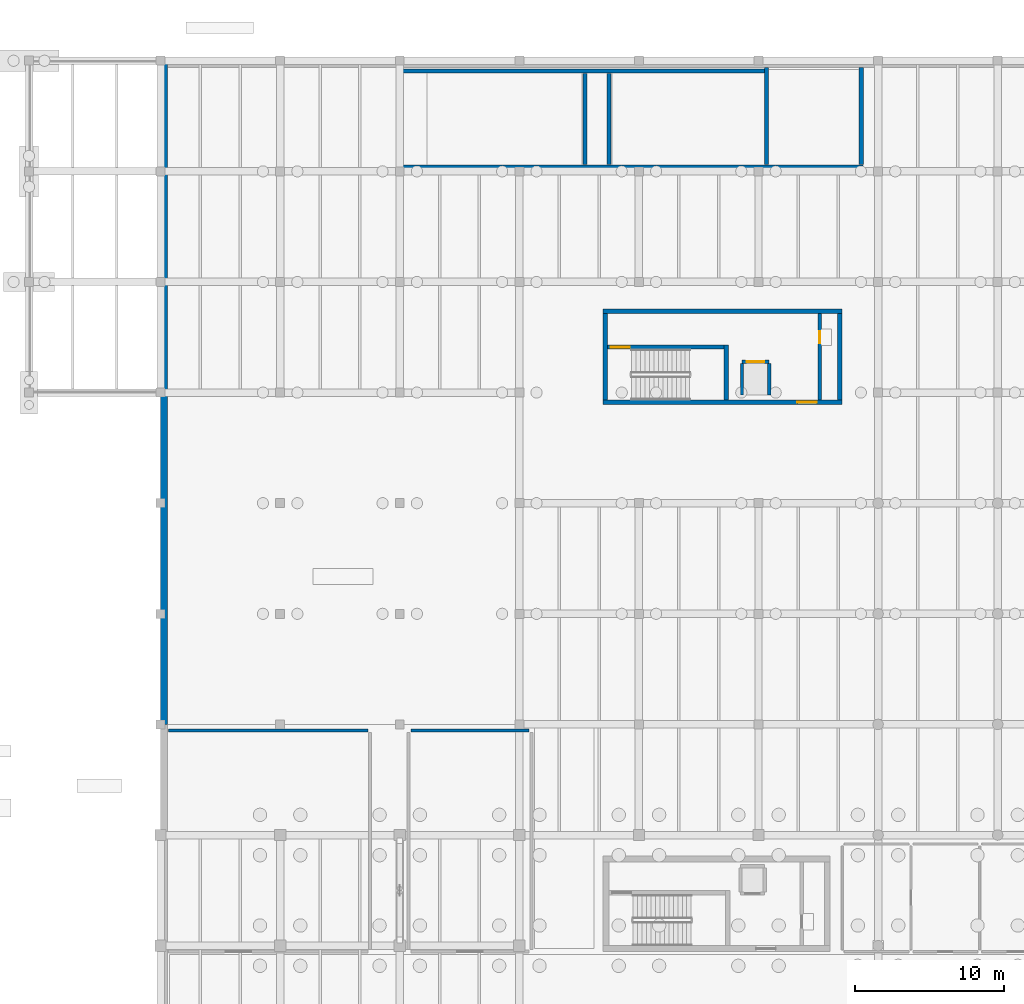
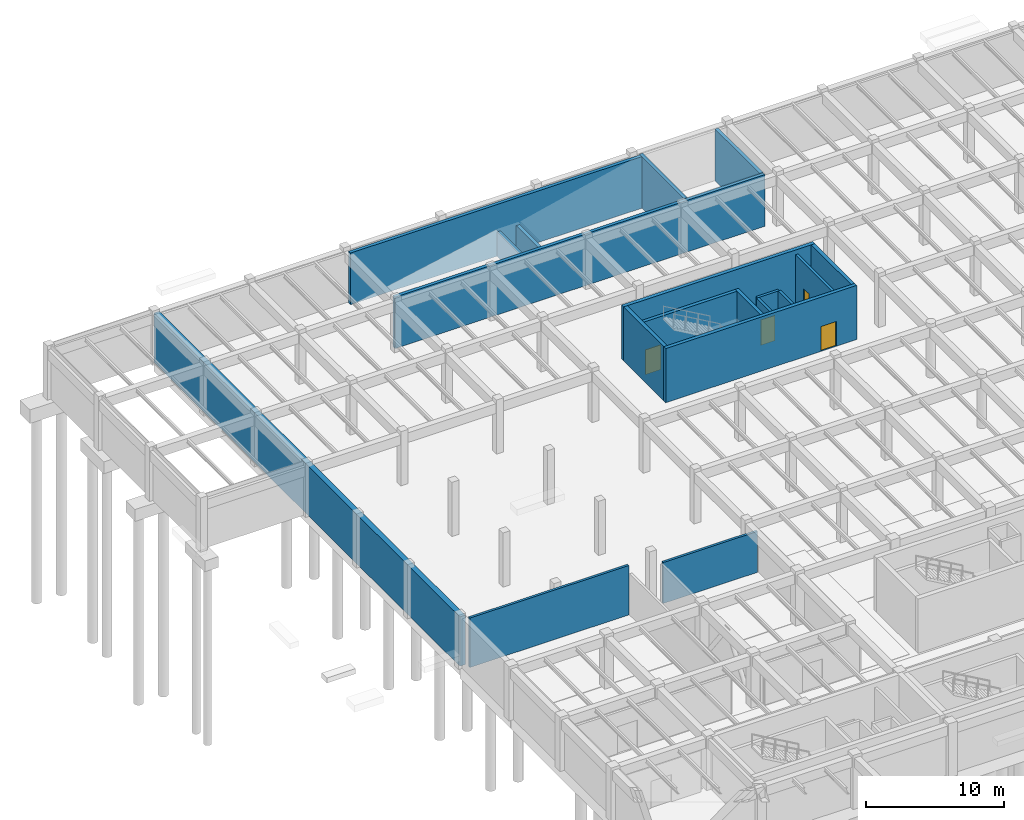
# One storey, part 22 of 40: 19 walls, 4 doors, 4 openings.
"""IFC4 building model written with IfcOpenShell, lengths in metres."""

from ifc_helpers import new_model, si_unit, direction, frame, frame_2d, origin, place, context, subcontext, project, spatial, rectangle, extrude, material, layer, layer_set, type_object, element, fill, save


model = new_model("IFC4")

# Units and contexts
model_context = context("Model", 3, precision=1e-05, world=origin(), true_north=direction((0.0, 1.0)))
body_context = subcontext(model_context, "Body", "Model", "MODEL_VIEW")
ifc_project = project(units=[si_unit("LENGTHUNIT", "METRE"), si_unit("AREAUNIT", "SQUARE_METRE"), si_unit("VOLUMEUNIT", "CUBIC_METRE"), si_unit("PLANEANGLEUNIT", "RADIAN"), si_unit("MASSUNIT", "GRAM", prefix="KILO")], contexts=[model_context])

# Site, building, storey
site_placement = place(None, origin())
site = spatial("IfcSite", under=ifc_project, at=site_placement, CompositionType="ELEMENT")
building_placement = place(site_placement, origin())
building = spatial("IfcBuilding", under=site, at=building_placement, Name="Valkorina Park Police Headquarters", CompositionType="ELEMENT")
storey_placement = place(building_placement, frame((0.0, 0.0, -4.800048828125)))
storey = spatial("IfcBuildingStorey", under=building, at=storey_placement, Name="B01", CompositionType="ELEMENT", Elevation=-4.800048828125)

# Wall, opening, door
ifc_material_1 = material(Name="Autoclaved aerated concrete masonry", Category="masonry")
ifc_layer_1 = layer(ifc_material_1, 0.219970703125)
ifc_layer_set_1 = layer_set([ifc_layer_1], Name="Autoclaved aerated concrete masonry")
wall_type_1 = type_object("IfcWallType", Name="WL-CHASE-220-EI60", PredefinedType="PLUMBINGWALL", material=ifc_layer_set_1)
wall_1_placement = place(storey_placement, frame((47.68994140625, 90.860107421875, 0.0), z_axis=(0.0, 0.0, 1.0), x_axis=(1.0, 0.0, 0.0)))
wall_1 = element("IfcWall", 1, at=wall_1_placement, inside=storey, type_object=wall_type_1, Name="Lift LF-06 B01 Shaft Front Wall", PredefinedType="PLUMBINGWALL", context=body_context, shape_type="SweptSolid", body=[
    extrude(rectangle(XDim=1.820068359375, YDim=0.219970703125, at=frame_2d((0.91015625, 0.0))), origin(), (0.0, 0.0, 1.0), 4.380126953125),
])
opening_1_placement = place(wall_1_placement, frame((0.31005859375, 0.0, 0.0)))
opening_1 = element("IfcOpeningElement", 2, at=opening_1_placement, cuts=wall_1, Name="Opening LD-03", PredefinedType="OPENING", context=body_context, shape_type="SweptSolid", body=[
    extrude(rectangle(XDim=1.199951171875, YDim=2.25, at=frame_2d((0.60009765625, 1.125))), frame((0.0, 0.1201171875, 0.0), z_axis=(0.0, -1.0, 0.0), x_axis=(1.0, 0.0, 0.0)), (0.0, 0.0, 1.0), 0.239990234375),
])
ifc_material_2 = material(Name="Stainless steel EN 1.4404", Category="steel")
ifc_layer_2 = layer(ifc_material_2, 0.050048828125)
ifc_layer_set_2 = layer_set([ifc_layer_2], Name="Stainless steel EN 1.4404")
door_type_1 = type_object("IfcDoorType", Name="DR-LIFT-CUST-1200x2250", OperationType="NOTDEFINED", PredefinedType="DOOR", material=ifc_layer_set_2)
door_1_placement = place(opening_1_placement, origin())
door_1 = element("IfcDoor", 3, at=door_1_placement, inside=storey, type_object=door_type_1, Name="Lift Landing Door LF-06-B01", OperationType="DOUBLE_DOOR_SLIDING", OverallHeight=2.25, OverallWidth=1.199951171875, PredefinedType="DOOR", context=body_context, shape_type="SweptSolid", body=[
    extrude(rectangle(XDim=1.199951171875, YDim=2.25, at=frame_2d((0.60009765625, 1.125))), frame((0.0, 0.02490234375, 0.0), z_axis=(0.0, -1.0, 0.0), x_axis=(1.0, 0.0, 0.0)), (0.0, 0.0, 1.0), 0.050048828125),
])
fill(opening_1, door_1)

# Walls
for number, where, z_axis, x_axis, name in (
    (4, (47.68994140625, 88.64990234375, 0.0), (0.0, 0.0, 1.0), (0.0, 1.0, 0.0), "Lift LF-06 B01 Shaft Side Wall W"),
    (5, (49.510009765625, 88.64990234375, 0.0), (0.0, 0.0, 1.0), (0.0, 1.0, 0.0), "Lift LF-06 B01 Shaft Side Wall E"),
):
    element("IfcWall", number, at=place(storey_placement, frame(where, z_axis=z_axis, x_axis=x_axis)), inside=storey, type_object=wall_type_1, Name=name, PredefinedType="PLUMBINGWALL", context=body_context, shape_type="SweptSolid", body=[
        extrude(rectangle(XDim=2.10009765625, YDim=0.219970703125, at=frame_2d((1.050048828125, 0.0))), origin(), (0.0, 0.0, 1.0), 4.380126953125),
    ])

# Wall, opening, door
wall_2_placement = place(storey_placement, frame((52.889892578125, 88.300048828125, 0.0), z_axis=(0.0, 0.0, 1.0), x_axis=(0.0, 1.0, 0.0)))
wall_2 = element("IfcWall", 6, at=wall_2_placement, inside=storey, type_object=wall_type_1, Name="Core C4 B01 Riser Shaft West Wall", PredefinedType="PLUMBINGWALL", context=body_context, shape_type="SweptSolid", body=[
    extrude(rectangle(XDim=5.800048828125, YDim=0.219970703125, at=frame_2d((2.89990234375, 0.0))), origin(), (0.0, 0.0, 1.0), 4.380126953125),
])
opening_2_placement = place(wall_2_placement, frame((3.800048828125, 0.0, 0.0)))
opening_2 = element("IfcOpeningElement", 7, at=opening_2_placement, cuts=wall_2, Name="Opening ID-01", PredefinedType="OPENING", context=body_context, shape_type="SweptSolid", body=[
    extrude(rectangle(XDim=0.800048828125, YDim=2.10009765625, at=frame_2d((0.39990234375, 1.050048828125))), frame((0.0, 0.1201171875, 0.0), z_axis=(0.0, -1.0, 0.0), x_axis=(1.0, 0.0, 0.0)), (0.0, 0.0, 1.0), 0.239990234375),
])
ifc_material_3 = material(Name="Galvanized steel door leaf", Category="steel")
ifc_layer_3 = layer(ifc_material_3, 0.050048828125)
ifc_layer_set_3 = layer_set([ifc_layer_3], Name="Galvanized steel door leaf")
door_type_2 = type_object("IfcDoorType", Name="DR-INT-RISER-800x2100", OperationType="NOTDEFINED", PredefinedType="DOOR", material=ifc_layer_set_3)
door_2_placement = place(opening_2_placement, origin())
door_2 = element("IfcDoor", 8, at=door_2_placement, inside=storey, type_object=door_type_2, Name="Riser Shaft Access Door C4-B01", OperationType="SINGLE_SWING_RIGHT", OverallHeight=2.10009765625, OverallWidth=0.800048828125, PredefinedType="DOOR", context=body_context, shape_type="SweptSolid", body=[
    extrude(rectangle(XDim=0.800048828125, YDim=2.10009765625, at=frame_2d((0.39990234375, 1.050048828125))), frame((0.0, 0.02490234375, 0.0), z_axis=(0.0, -1.0, 0.0), x_axis=(1.0, 0.0, 0.0)), (0.0, 0.0, 1.0), 0.050048828125),
])
fill(opening_2, door_2)

ifc_material_4 = material(Name="Concrete C40/50", Category="concrete")
ifc_layer_4 = layer(ifc_material_4, 0.300048828125)
ifc_layer_set_4 = layer_set([ifc_layer_4], Name="Concrete C40/50")
wall_type_2 = type_object("IfcWallType", Name="WL-CORE-300-REI120", PredefinedType="SHEAR", material=ifc_layer_set_4)
wall_3_placement = place(storey_placement, frame((38.39990234375, 88.14990234375, 0.0), z_axis=(0.0, 0.0, 1.0), x_axis=(1.0, 0.0, 0.0)))
wall_3 = element("IfcWall", 9, at=wall_3_placement, inside=storey, type_object=wall_type_2, Name="Core C4 B01 Shear Wall S", PredefinedType="SHEAR", context=body_context, shape_type="SweptSolid", body=[
    extrude(rectangle(XDim=16.0, YDim=0.300048828125, at=frame_2d((8.0, 0.0))), origin(), (0.0, 0.0, 1.0), 4.795166015625),
])
opening_3_placement = place(wall_3_placement, frame((13.0, 0.0, 0.0)))
opening_3 = element("IfcOpeningElement", 10, at=opening_3_placement, cuts=wall_3, Name="Opening FD-03", PredefinedType="OPENING", context=body_context, shape_type="SweptSolid", body=[
    extrude(rectangle(XDim=1.300048828125, YDim=2.199951171875, at=frame_2d((0.64990234375, 1.10009765625))), frame((0.0, 0.16015625, 0.0), z_axis=(0.0, -1.0, 0.0), x_axis=(1.0, 0.0, 0.0)), (0.0, 0.0, 1.0), 0.320068359375),
])
ifc_layer_5 = layer(ifc_material_3, 0.050048828125)
ifc_layer_set_5 = layer_set([ifc_layer_5], Name="Galvanized steel door leaf")
door_type_3 = type_object("IfcDoorType", Name="DR-FIRE-STAIR-1300x2200", OperationType="NOTDEFINED", PredefinedType="DOOR", material=ifc_layer_set_5)
door_3_placement = place(opening_3_placement, origin())
door_3 = element("IfcDoor", 11, at=door_3_placement, inside=storey, type_object=door_type_3, Name="Door D-B01-LBY-C4 (Core C4 Lobby Fire Door)", OperationType="SINGLE_SWING_LEFT", OverallHeight=2.199951171875, OverallWidth=1.300048828125, PredefinedType="DOOR", context=body_context, shape_type="SweptSolid", body=[
    extrude(rectangle(XDim=1.300048828125, YDim=2.199951171875, at=frame_2d((0.64990234375, 1.10009765625))), frame((0.0, 0.02490234375, 0.0), z_axis=(0.0, -1.0, 0.0), x_axis=(1.0, 0.0, 0.0)), (0.0, 0.0, 1.0), 0.050048828125),
])
fill(opening_3, door_3)

# Walls
wall_4_placement = place(storey_placement, frame((38.39990234375, 94.25, 0.0), z_axis=(0.0, 0.0, 1.0), x_axis=(1.0, 0.0, 0.0)))
element("IfcWall", 12, at=wall_4_placement, inside=storey, type_object=wall_type_2, Name="Core C4 B01 Shear Wall N", PredefinedType="SHEAR", context=body_context, shape_type="SweptSolid", body=[
    extrude(rectangle(XDim=16.0, YDim=0.300048828125, at=frame_2d((8.0, 0.0))), origin(), (0.0, 0.0, 1.0), 4.795166015625),
])
for number, where, z_axis, x_axis, name in (
    (13, (38.550048828125, 88.300048828125, 0.0), (0.0, 0.0, 1.0), (0.0, 1.0, 0.0), "Core C4 B01 Shear Wall W"),
    (14, (54.25, 88.300048828125, 0.0), (0.0, 0.0, 1.0), (0.0, 1.0, 0.0), "Core C4 B01 Shear Wall E"),
):
    element("IfcWall", number, at=place(storey_placement, frame(where, z_axis=z_axis, x_axis=x_axis)), inside=storey, type_object=wall_type_2, Name=name, PredefinedType="SHEAR", context=body_context, shape_type="SweptSolid", body=[
        extrude(rectangle(XDim=5.800048828125, YDim=0.300048828125, at=frame_2d((2.89990234375, 0.0))), origin(), (0.0, 0.0, 1.0), 4.795166015625),
    ])
ifc_layer_6 = layer(ifc_material_1, 0.199951171875)
ifc_layer_set_6 = layer_set([ifc_layer_6], Name="Autoclaved aerated concrete masonry")
wall_type_3 = type_object("IfcWallType", Name="WL-CORR-200-EI60", PredefinedType="STANDARD", material=ifc_layer_set_6)
wall_5_placement = place(storey_placement, frame((9.340087890625, 66.199951171875, 0.0), z_axis=(0.0, 0.0, 1.0), x_axis=(1.0, 0.0, 0.0)))
element("IfcWall", 15, at=wall_5_placement, inside=storey, type_object=wall_type_3, Name="B01 Interior Partition 0003 (B01-PLT-02)", PredefinedType="STANDARD", context=body_context, shape_type="SweptSolid", body=[
    extrude(rectangle(XDim=13.31982421875, YDim=0.199951171875, at=frame_2d((6.659912109375, 0.0))), origin(), (0.0, 0.0, 1.0), 4.380126953125),
])
wall_6_placement = place(storey_placement, frame((25.5400390625, 66.199951171875, 0.0), z_axis=(0.0, 0.0, 1.0), x_axis=(1.0, 0.0, 0.0)))
element("IfcWall", 16, at=wall_6_placement, inside=storey, type_object=wall_type_3, Name="B01 Interior Partition 0006 (B01-PLT-03)", PredefinedType="STANDARD", context=body_context, shape_type="SweptSolid", body=[
    extrude(rectangle(XDim=7.919921875, YDim=0.199951171875, at=frame_2d((3.9599609375, 0.0))), origin(), (0.0, 0.0, 1.0), 3.630126953125),
])
ifc_material_5 = material(Name="Concrete C35/45", Category="concrete")
ifc_layer_7 = layer(ifc_material_5, 0.449951171875)
ifc_layer_set_7 = layer_set([ifc_layer_7], Name="Concrete C35/45")
wall_type_4 = type_object("IfcWallType", Name="WL-RETAIN-450-REI120", PredefinedType="SOLIDWALL", material=ifc_layer_set_7)
wall_7_placement = place(storey_placement, frame((9.02490234375, 66.60009765625, 0.0), z_axis=(0.0, 0.0, 1.0), x_axis=(0.0, 1.0, 0.0)))
element("IfcWall", 17, at=wall_7_placement, inside=storey, type_object=wall_type_4, Name="B01 Basement Retaining Wall 03", PredefinedType="SOLIDWALL", context=body_context, shape_type="SweptSolid", body=[
    extrude(rectangle(XDim=44.39990234375, YDim=0.449951171875, at=frame_2d((22.199951171875, 0.0))), origin(), (0.0, 0.0, 1.0), 4.380126953125),
])
ifc_layer_8 = layer(ifc_material_4, 0.280029296875)
ifc_layer_set_8 = layer_set([ifc_layer_8], Name="Concrete C40/50")
wall_type_5 = type_object("IfcWallType", Name="WL-STAIR-280-REI120", PredefinedType="SHEAR", material=ifc_layer_set_8)
wall_8_placement = place(storey_placement, frame((46.639892578125, 88.300048828125, 0.0), z_axis=(0.0, 0.0, 1.0), x_axis=(0.0, 1.0, 0.0)))
element("IfcWall", 18, at=wall_8_placement, inside=storey, type_object=wall_type_5, Name="Core C4 B01 Shear Wall DIV", PredefinedType="SHEAR", context=body_context, shape_type="SweptSolid", body=[
    extrude(rectangle(XDim=3.679931640625, YDim=0.280029296875, at=frame_2d((1.83984375, 0.0))), origin(), (0.0, 0.0, 1.0), 4.795166015625),
])

# Wall, opening, door
wall_9_placement = place(storey_placement, frame((38.699951171875, 91.840087890625, 0.0), z_axis=(0.0, 0.0, 1.0), x_axis=(1.0, 0.0, 0.0)))
wall_9 = element("IfcWall", 19, at=wall_9_placement, inside=storey, type_object=wall_type_5, Name="Core C4 B01 Shear Wall SIDE", PredefinedType="SHEAR", context=body_context, shape_type="SweptSolid", body=[
    extrude(rectangle(XDim=7.800048828125, YDim=0.280029296875, at=frame_2d((3.89990234375, 0.0))), origin(), (0.0, 0.0, 1.0), 4.795166015625),
])
opening_4_placement = place(wall_9_placement, frame((0.199951171875, 0.0, 0.0)))
opening_4 = element("IfcOpeningElement", 20, at=opening_4_placement, cuts=wall_9, Name="Opening FD-03", PredefinedType="OPENING", context=body_context, shape_type="SweptSolid", body=[
    extrude(rectangle(XDim=1.300048828125, YDim=2.199951171875, at=frame_2d((0.64990234375, 1.10009765625))), frame((0.0, 0.14990234375, 0.0), z_axis=(0.0, -1.0, 0.0), x_axis=(1.0, 0.0, 0.0)), (0.0, 0.0, 1.0), 0.300048828125),
])
door_4_placement = place(opening_4_placement, origin())
door_4 = element("IfcDoor", 21, at=door_4_placement, inside=storey, type_object=door_type_3, Name="Door D-B01-C127 (ST-04 Stair Fire Door)", OperationType="SINGLE_SWING_RIGHT", OverallHeight=2.199951171875, OverallWidth=1.300048828125, PredefinedType="DOOR", context=body_context, shape_type="SweptSolid", body=[
    extrude(rectangle(XDim=1.300048828125, YDim=2.199951171875, at=frame_2d((0.64990234375, 1.10009765625))), frame((0.0, 0.02490234375, 0.0), z_axis=(0.0, -1.0, 0.0), x_axis=(1.0, 0.0, 0.0)), (0.0, 0.0, 1.0), 0.050048828125),
])
fill(opening_4, door_4)

# Walls
wall_10_placement = place(storey_placement, frame((24.800048828125, 103.8798828125, 0.0), z_axis=(0.0, 0.0, 1.0), x_axis=(1.0, 0.0, 0.0)))
element("IfcWall", 22, at=wall_10_placement, inside=storey, type_object=wall_type_5, Name="Vehicle Ramp Structural Side Wall S-B01", PredefinedType="SHEAR", context=body_context, shape_type="SweptSolid", body=[
    extrude(rectangle(XDim=31.0, YDim=0.280029296875, at=frame_2d((15.5, 0.0))), origin(), (0.0, 0.0, 1.0), 4.570068359375),
])
wall_11_placement = place(storey_placement, frame((24.800048828125, 110.320068359375, 0.0), z_axis=(0.0, 0.0, 1.0), x_axis=(1.0, 0.0, 0.0)))
element("IfcWall", 23, at=wall_11_placement, inside=storey, type_object=wall_type_5, Name="Vehicle Ramp Structural Side Wall N-B01", PredefinedType="SHEAR", context=body_context, shape_type="SweptSolid", body=[
    extrude(rectangle(XDim=24.39990234375, YDim=0.280029296875, at=frame_2d((12.199951171875, 0.0))), origin(), (0.0, 0.0, 1.0), 4.570068359375),
])
for number, where, z_axis, x_axis, name in (
    (24, (55.679931640625, 104.050048828125, 0.0), (0.0, 0.0, 1.0), (0.0, 1.0, 0.0), "Vehicle Ramp Structural Side Wall E-B01"),
    (25, (49.340087890625, 104.050048828125, 0.0), (0.0, 0.0, 1.0), (0.0, 1.0, 0.0), "Vehicle Ramp Structural Side Wall TOP1-B01"),
):
    element("IfcWall", number, at=place(storey_placement, frame(where, z_axis=z_axis, x_axis=x_axis)), inside=storey, type_object=wall_type_5, Name=name, PredefinedType="SHEAR", context=body_context, shape_type="SweptSolid", body=[
        extrude(rectangle(XDim=6.5, YDim=0.280029296875, at=frame_2d((3.25, 0.0))), origin(), (0.0, 0.0, 1.0), 4.570068359375),
    ])
for number, where, z_axis, x_axis, name in (
    (26, (37.199951171875, 104.050048828125, 0.0), (0.0, 0.0, 1.0), (0.0, 1.0, 0.0), "Vehicle Ramp Structural Side Wall MID1-B01"),
    (27, (38.800048828125, 104.050048828125, 0.0), (0.0, 0.0, 1.0), (0.0, 1.0, 0.0), "Vehicle Ramp Structural Side Wall MID2-B01"),
):
    element("IfcWall", number, at=place(storey_placement, frame(where, z_axis=z_axis, x_axis=x_axis)), inside=storey, type_object=wall_type_5, Name=name, PredefinedType="SHEAR", context=body_context, shape_type="SweptSolid", body=[
        extrude(rectangle(XDim=6.099853515625, YDim=0.280029296875, at=frame_2d((3.0498046875, 0.0))), origin(), (0.0, 0.0, 1.0), 2.170166015625),
    ])

save(model, "model.ifc")
